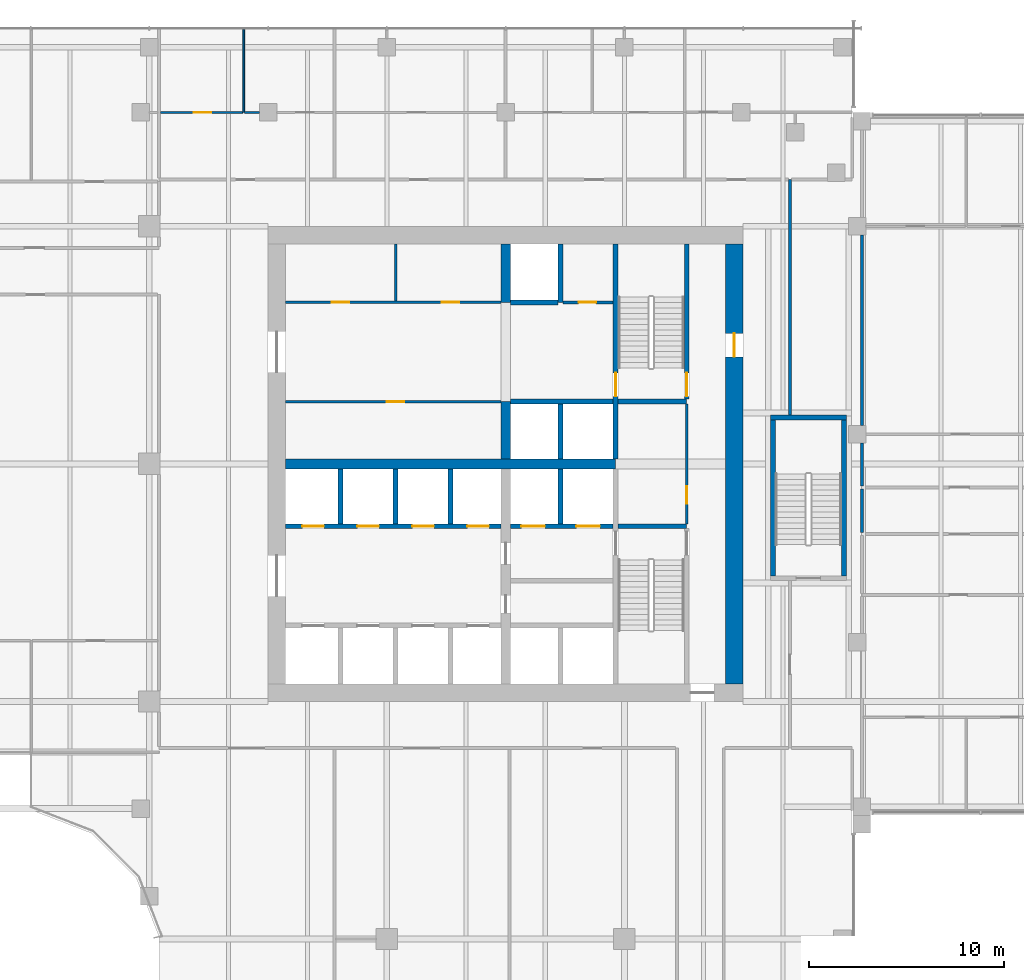
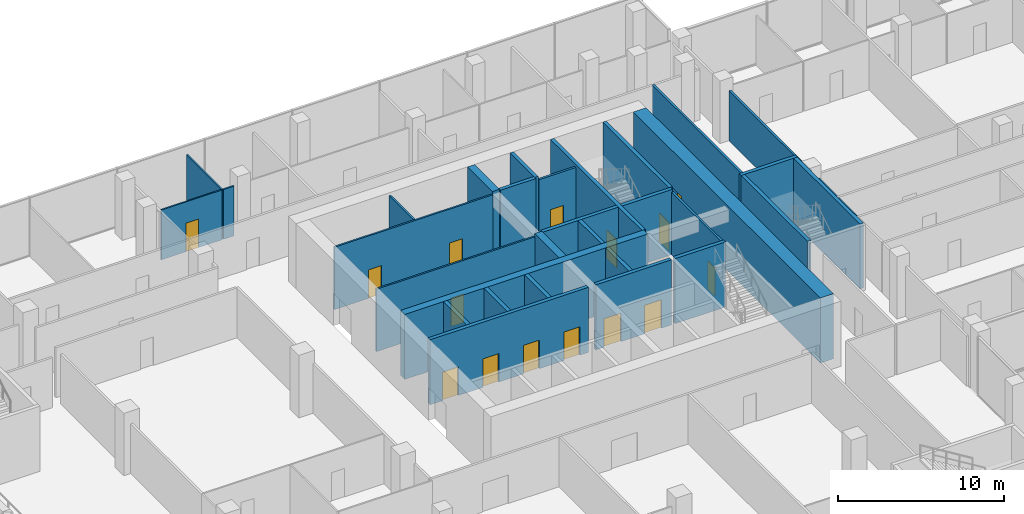
# One storey, part 24 of 33: 33 walls, 15 doors, 15 openings.
"""IFC4 building model written with IfcOpenShell, lengths in metres."""

from ifc_helpers import new_model, si_unit, direction, frame, frame_2d, origin, place, context, subcontext, project, spatial, rectangle, extrude, source, transform, mapped, material, layer, layer_set, type_object, element, fill, save


model = new_model("IFC4")

# Units and contexts
model_context = context("Model", 3, precision=1e-05, world=origin(), true_north=direction((0.0, 1.0)))
body_context = subcontext(model_context, "Body", "Model", "MODEL_VIEW")
ifc_project = project(units=[si_unit("LENGTHUNIT", "METRE"), si_unit("AREAUNIT", "SQUARE_METRE"), si_unit("VOLUMEUNIT", "CUBIC_METRE"), si_unit("PLANEANGLEUNIT", "RADIAN"), si_unit("MASSUNIT", "GRAM", prefix="KILO")], contexts=[model_context])

# Site, building, storey
site_placement = place(None, origin())
site = spatial("IfcSite", under=ifc_project, at=site_placement, CompositionType="ELEMENT")
building_placement = place(site_placement, origin())
building = spatial("IfcBuilding", under=site, at=building_placement, Name="Tessera Gate Towers", CompositionType="ELEMENT")
storey_placement = place(building_placement, frame((0.0, 0.0, 12.0)))
storey = spatial("IfcBuildingStorey", under=building, at=storey_placement, Name="L02", CompositionType="ELEMENT", Elevation=12.0)

# Wall, opening, door
ifc_material_1 = material(Name="Concrete C40/50", Category="concrete")
ifc_layer_1 = layer(ifc_material_1, 0.25)
ifc_layer_set_1 = layer_set([ifc_layer_1], Name="CORE ENCLOSURE WALL 250")
wall_type_1 = type_object("IfcWallType", Name="CORE ENCLOSURE WALL 250", PredefinedType="SOLIDWALL", material=ifc_layer_set_1)
wall_1_placement = place(storey_placement, frame((48.35009765625, 47.89990234375, 0.0), z_axis=(0.0, 0.0, 1.0), x_axis=(0.0, -1.0, 0.0)))
wall_1 = element("IfcWall", 1, at=wall_1_placement, inside=storey, type_object=wall_type_1, Name="L02 shaft and stair enclosure wall", PredefinedType="SOLIDWALL", context=body_context, shape_type="SweptSolid", body=[
    extrude(rectangle(XDim=11.0498046875, YDim=0.25, at=frame_2d((5.52490234375, 0.0))), origin(), (0.0, 0.0, 1.0), 4.800048828125),
])
shared_shape_1 = source(origin(), body_context, "Body", "SweptSolid", [
    extrude(rectangle(XDim=1.199951171875, YDim=2.10009765625, at=frame_2d((0.60009765625, 1.050048828125))), frame((0.0, 0.135009765625, 0.0), z_axis=(0.0, -1.0, 0.0), x_axis=(1.0, 0.0, 0.0)), (0.0, 0.0, 1.0), 0.27001953125),
])
opening_1_placement = place(wall_1_placement, frame((6.625, 0.0, 0.0)))
opening_1 = element("IfcOpeningElement", 2, at=opening_1_placement, cuts=wall_1, Name="Opening SD-ST2-1", PredefinedType="OPENING", context=body_context, shape_type="MappedRepresentation", body=[
    mapped(shared_shape_1, transform((0.0, 0.0, 0.0), scale=1.0)),
])
ifc_material_2 = material(Name="Hollow steel fire door", Category="steel")
door_type_1 = type_object("IfcDoorType", Name="CORE DOOR SD 1200x2100", OperationType="NOTDEFINED", PredefinedType="DOOR", material=ifc_material_2)
shared_shape_2 = source(origin(), body_context, "Body", "SweptSolid", [
    extrude(rectangle(XDim=1.199951171875, YDim=2.10009765625, at=frame_2d((0.60009765625, 1.050048828125))), frame((0.0, 0.02490234375, 0.0), z_axis=(0.0, -1.0, 0.0), x_axis=(1.0, 0.0, 0.0)), (0.0, 0.0, 1.0), 0.050048828125),
])
door_1_placement = place(opening_1_placement, origin())
door_1 = element("IfcDoor", 3, at=door_1_placement, inside=storey, type_object=door_type_1, Name="Stair door", OperationType="SINGLE_SWING_RIGHT", OverallHeight=2.10009765625, OverallWidth=1.199951171875, PredefinedType="DOOR", context=body_context, shape_type="MappedRepresentation", body=[
    mapped(shared_shape_2, transform((0.0, 0.0, 0.0), scale=1.0)),
])
fill(opening_1, door_1)

# Wall, openings, doors
wall_2_placement = place(storey_placement, frame((42.449951171875, 33.39990234375, 0.0), z_axis=(0.0, 0.0, 1.0), x_axis=(-1.0, 0.0, 0.0)))
wall_2 = element("IfcWall", 4, at=wall_2_placement, inside=storey, type_object=wall_type_1, Name="L02 shaft and stair enclosure wall", PredefinedType="SOLIDWALL", context=body_context, shape_type="SweptSolid", body=[
    extrude(rectangle(XDim=11.050048828125, YDim=0.25, at=frame_2d((5.52490234375, 0.0))), origin(), (0.0, 0.0, 1.0), 4.800048828125),
])
shared_shape_3 = source(origin(), body_context, "Body", "SweptSolid", [
    extrude(rectangle(XDim=1.10009765625, YDim=2.10009765625, at=frame_2d((0.550048828125, 1.050048828125))), frame((0.0, 0.135009765625, 0.0), z_axis=(0.0, -1.0, 0.0), x_axis=(1.0, 0.0, 0.0)), (0.0, 0.0, 1.0), 0.27001953125),
])
opening_2_placement = place(wall_2_placement, frame((9.08740234375, 0.0, 0.0)))
opening_2 = element("IfcOpeningElement", 5, at=opening_2_placement, cuts=wall_2, Name="Opening LD-LR5", PredefinedType="OPENING", context=body_context, shape_type="MappedRepresentation", body=[
    mapped(shared_shape_3, transform((0.0, 0.0, 0.0), scale=1.0)),
])
opening_3_placement = place(wall_2_placement, frame((6.262451171875, 0.0, 0.0)))
opening_3 = element("IfcOpeningElement", 6, at=opening_3_placement, cuts=wall_2, Name="Opening LD-LR6", PredefinedType="OPENING", context=body_context, shape_type="MappedRepresentation", body=[
    mapped(shared_shape_3, transform((0.0, 0.0, 0.0), scale=1.0)),
])
opening_4_placement = place(wall_2_placement, frame((3.4375, 0.0, 0.0)))
opening_4 = element("IfcOpeningElement", 7, at=opening_4_placement, cuts=wall_2, Name="Opening LD-LR7", PredefinedType="OPENING", context=body_context, shape_type="MappedRepresentation", body=[
    mapped(shared_shape_3, transform((0.0, 0.0, 0.0), scale=1.0)),
])
opening_5_placement = place(wall_2_placement, frame((0.612548828125, 0.0, 0.0)))
opening_5 = element("IfcOpeningElement", 8, at=opening_5_placement, cuts=wall_2, Name="Opening LD-LR8", PredefinedType="OPENING", context=body_context, shape_type="MappedRepresentation", body=[
    mapped(shared_shape_3, transform((0.0, 0.0, 0.0), scale=1.0)),
])
ifc_material_3 = material(Name="Stainless steel", Category="steel")
door_type_2 = type_object("IfcDoorType", Name="CORE DOOR LD 1100x2100", OperationType="DOUBLE_DOOR_SLIDING", PredefinedType="DOOR", material=ifc_material_3)
shared_shape_4 = source(origin(), body_context, "Body", "SweptSolid", [
    extrude(rectangle(XDim=1.10009765625, YDim=2.10009765625, at=frame_2d((0.550048828125, 1.050048828125))), frame((0.0, 0.02490234375, 0.0), z_axis=(0.0, -1.0, 0.0), x_axis=(1.0, 0.0, 0.0)), (0.0, 0.0, 1.0), 0.050048828125),
])
door_2_placement = place(opening_2_placement, origin())
door_2 = element("IfcDoor", 9, at=door_2_placement, inside=storey, type_object=door_type_2, Name="Landing door LR5 L02", OperationType="DOUBLE_DOOR_SLIDING", OverallHeight=2.10009765625, OverallWidth=1.10009765625, PredefinedType="DOOR", context=body_context, shape_type="MappedRepresentation", body=[
    mapped(shared_shape_4, transform((0.0, 0.0, 0.0), scale=1.0)),
])
fill(opening_2, door_2)
door_3_placement = place(opening_3_placement, origin())
door_3 = element("IfcDoor", 10, at=door_3_placement, inside=storey, type_object=door_type_2, Name="Landing door LR6 L02", OperationType="DOUBLE_DOOR_SLIDING", OverallHeight=2.10009765625, OverallWidth=1.10009765625, PredefinedType="DOOR", context=body_context, shape_type="MappedRepresentation", body=[
    mapped(shared_shape_4, transform((0.0, 0.0, 0.0), scale=1.0)),
])
fill(opening_3, door_3)
door_4_placement = place(opening_4_placement, origin())
door_4 = element("IfcDoor", 11, at=door_4_placement, inside=storey, type_object=door_type_2, Name="Landing door LR7 L02", OperationType="DOUBLE_DOOR_SLIDING", OverallHeight=2.10009765625, OverallWidth=1.10009765625, PredefinedType="DOOR", context=body_context, shape_type="MappedRepresentation", body=[
    mapped(shared_shape_4, transform((0.0, 0.0, 0.0), scale=1.0)),
])
fill(opening_4, door_4)
door_5_placement = place(opening_5_placement, origin())
door_5 = element("IfcDoor", 12, at=door_5_placement, inside=storey, type_object=door_type_2, Name="Landing door LR8 L02", OperationType="DOUBLE_DOOR_SLIDING", OverallHeight=2.10009765625, OverallWidth=1.10009765625, PredefinedType="DOOR", context=body_context, shape_type="MappedRepresentation", body=[
    mapped(shared_shape_4, transform((0.0, 0.0, 0.0), scale=1.0)),
])
fill(opening_5, door_5)

wall_3_placement = place(storey_placement, frame((48.22509765625, 33.39990234375, 0.0), z_axis=(0.0, 0.0, 1.0), x_axis=(-1.0, 0.0, 0.0)))
wall_3 = element("IfcWall", 13, at=wall_3_placement, inside=storey, type_object=wall_type_1, Name="L02 shaft and stair enclosure wall", PredefinedType="SOLIDWALL", context=body_context, shape_type="SweptSolid", body=[
    extrude(rectangle(XDim=5.275146484375, YDim=0.25, at=frame_2d((2.6376953125, 0.0))), origin(), (0.0, 0.0, 1.0), 4.800048828125),
])
opening_6_placement = place(wall_3_placement, frame((3.512451171875, 0.0, 0.0)))
opening_6 = element("IfcOpeningElement", 14, at=opening_6_placement, cuts=wall_3, Name="Opening LD-FF1", PredefinedType="OPENING", context=body_context, shape_type="MappedRepresentation", body=[
    mapped(shared_shape_1, transform((0.0, 0.0, 0.0), scale=1.0)),
])
opening_7_placement = place(wall_3_placement, frame((0.6875, 0.0, 0.0)))
opening_7 = element("IfcOpeningElement", 15, at=opening_7_placement, cuts=wall_3, Name="Opening LD-FF2", PredefinedType="OPENING", context=body_context, shape_type="MappedRepresentation", body=[
    mapped(shared_shape_1, transform((0.0, 0.0, 0.0), scale=1.0)),
])
ifc_material_4 = material(Name="Stainless steel", Category="steel")
door_type_3 = type_object("IfcDoorType", Name="CORE DOOR LD1200 1200x2100", OperationType="DOUBLE_DOOR_SLIDING", PredefinedType="DOOR", material=ifc_material_4)
door_6_placement = place(opening_6_placement, origin())
door_6 = element("IfcDoor", 16, at=door_6_placement, inside=storey, type_object=door_type_3, Name="Landing door FF1 L02", OperationType="DOUBLE_DOOR_SLIDING", OverallHeight=2.10009765625, OverallWidth=1.199951171875, PredefinedType="DOOR", context=body_context, shape_type="MappedRepresentation", body=[
    mapped(shared_shape_2, transform((0.0, 0.0, 0.0), scale=1.0)),
])
fill(opening_6, door_6)
door_7_placement = place(opening_7_placement, origin())
door_7 = element("IfcDoor", 17, at=door_7_placement, inside=storey, type_object=door_type_3, Name="Landing door FF2 L02", OperationType="DOUBLE_DOOR_SLIDING", OverallHeight=2.10009765625, OverallWidth=1.199951171875, PredefinedType="DOOR", context=body_context, shape_type="MappedRepresentation", body=[
    mapped(shared_shape_2, transform((0.0, 0.0, 0.0), scale=1.0)),
])
fill(opening_7, door_7)

# Walls
wall_4_placement = place(storey_placement, frame((48.47509765625, 33.39990234375, 0.0), z_axis=(0.0, 0.0, 1.0), x_axis=(1.0, 0.0, 0.0)))
element("IfcWall", 18, at=wall_4_placement, inside=storey, type_object=wall_type_1, Name="L02 shaft and stair enclosure wall", PredefinedType="SOLIDWALL", context=body_context, shape_type="SweptSolid", body=[
    extrude(rectangle(XDim=3.52490234375, YDim=0.25, at=frame_2d((1.762451171875, 0.0))), origin(), (0.0, 0.0, 1.0), 4.800048828125),
])
wall_5_placement = place(storey_placement, frame((42.949951171875, 39.800048828125, 0.0), z_axis=(0.0, 0.0, 1.0), x_axis=(1.0, 0.0, 0.0)))
element("IfcWall", 19, at=wall_5_placement, inside=storey, type_object=wall_type_1, Name="L02 shaft and stair enclosure wall", PredefinedType="SOLIDWALL", context=body_context, shape_type="SweptSolid", body=[
    extrude(rectangle(XDim=5.275146484375, YDim=0.25, at=frame_2d((2.6376953125, 0.0))), origin(), (0.0, 0.0, 1.0), 4.800048828125),
])
wall_6_placement = place(storey_placement, frame((48.47509765625, 39.800048828125, 0.0), z_axis=(0.0, 0.0, 1.0), x_axis=(1.0, 0.0, 0.0)))
element("IfcWall", 20, at=wall_6_placement, inside=storey, type_object=wall_type_1, Name="L02 shaft and stair enclosure wall", PredefinedType="SOLIDWALL", context=body_context, shape_type="SweptSolid", body=[
    extrude(rectangle(XDim=3.52490234375, YDim=0.25, at=frame_2d((1.762451171875, 0.0))), origin(), (0.0, 0.0, 1.0), 4.800048828125),
])

# Wall, opening, door
wall_7_placement = place(storey_placement, frame((52.0, 39.925048828125, 0.0), z_axis=(0.0, 0.0, 1.0), x_axis=(0.0, 1.0, 0.0)))
wall_7 = element("IfcWall", 21, at=wall_7_placement, inside=storey, type_object=wall_type_1, Name="L02 shaft and stair enclosure wall", PredefinedType="SOLIDWALL", context=body_context, shape_type="SweptSolid", body=[
    extrude(rectangle(XDim=7.974853515625, YDim=0.25, at=frame_2d((3.9873046875, 0.0))), origin(), (0.0, 0.0, 1.0), 4.800048828125),
])
opening_8_placement = place(wall_7_placement, frame((0.14990234375, 0.0, 0.0)))
opening_8 = element("IfcOpeningElement", 22, at=opening_8_placement, cuts=wall_7, Name="Opening SD-ST2-2", PredefinedType="OPENING", context=body_context, shape_type="MappedRepresentation", body=[
    mapped(shared_shape_1, transform((0.0, 0.0, 0.0), scale=1.0)),
])
door_8_placement = place(opening_8_placement, origin())
door_8 = element("IfcDoor", 23, at=door_8_placement, inside=storey, type_object=door_type_1, Name="Stair door", OperationType="SINGLE_SWING_LEFT", OverallHeight=2.10009765625, OverallWidth=1.199951171875, PredefinedType="DOOR", context=body_context, shape_type="MappedRepresentation", body=[
    mapped(shared_shape_2, transform((0.0, 0.0, 0.0), scale=1.0)),
])
fill(opening_8, door_8)

# Walls
wall_8_placement = place(storey_placement, frame((45.52490234375, 33.52490234375, 0.0), z_axis=(0.0, 0.0, 1.0), x_axis=(0.0, 1.0, 0.0)))
element("IfcWall", 24, at=wall_8_placement, inside=storey, type_object=wall_type_1, Name="L02 shaft and stair enclosure wall", PredefinedType="SOLIDWALL", context=body_context, shape_type="SweptSolid", body=[
    extrude(rectangle(XDim=2.8251953125, YDim=0.25, at=frame_2d((1.41259765625, 0.0))), origin(), (0.0, 0.0, 1.0), 4.800048828125),
])
wall_9_placement = place(storey_placement, frame((45.52490234375, 36.85009765625, 0.0), z_axis=(0.0, 0.0, 1.0), x_axis=(0.0, 1.0, 0.0)))
element("IfcWall", 25, at=wall_9_placement, inside=storey, type_object=wall_type_1, Name="L02 shaft and stair enclosure wall", PredefinedType="SOLIDWALL", context=body_context, shape_type="SweptSolid", body=[
    extrude(rectangle(XDim=2.824951171875, YDim=0.25, at=frame_2d((1.41259765625, 0.0))), origin(), (0.0, 0.0, 1.0), 4.800048828125),
])
for number, where, z_axis, x_axis, name in (
    (26, (34.22509765625, 33.52490234375, 0.0), (0.0, 0.0, 1.0), (0.0, 1.0, 0.0), "L02 shaft and stair enclosure wall"),
    (27, (37.050048828125, 33.52490234375, 0.0), (0.0, 0.0, 1.0), (0.0, 1.0, 0.0), "L02 shaft and stair enclosure wall"),
    (28, (39.875, 33.52490234375, 0.0), (0.0, 0.0, 1.0), (0.0, 1.0, 0.0), "L02 shaft and stair enclosure wall"),
):
    element("IfcWall", number, at=place(storey_placement, frame(where, z_axis=z_axis, x_axis=x_axis)), inside=storey, type_object=wall_type_1, Name=name, PredefinedType="SOLIDWALL", context=body_context, shape_type="SweptSolid", body=[
        extrude(rectangle(XDim=2.8251953125, YDim=0.25, at=frame_2d((1.41259765625, 0.0))), origin(), (0.0, 0.0, 1.0), 4.800048828125),
    ])
wall_10_placement = place(storey_placement, frame((45.52490234375, 44.89990234375, 0.0), z_axis=(0.0, 0.0, 1.0), x_axis=(0.0, 1.0, 0.0)))
element("IfcWall", 29, at=wall_10_placement, inside=storey, type_object=wall_type_1, Name="L02 shaft and stair enclosure wall", PredefinedType="SOLIDWALL", context=body_context, shape_type="SweptSolid", body=[
    extrude(rectangle(XDim=3.0, YDim=0.25, at=frame_2d((1.5, 0.0))), origin(), (0.0, 0.0, 1.0), 4.800048828125),
])
wall_11_placement = place(storey_placement, frame((42.949951171875, 44.89990234375, 0.0), z_axis=(0.0, 0.0, 1.0), x_axis=(1.0, 0.0, 0.0)))
element("IfcWall", 30, at=wall_11_placement, inside=storey, type_object=wall_type_1, Name="L02 shaft and stair enclosure wall", PredefinedType="SOLIDWALL", context=body_context, shape_type="SweptSolid", body=[
    extrude(rectangle(XDim=2.449951171875, YDim=0.25, at=frame_2d((1.22509765625, 0.0))), origin(), (0.0, 0.0, 1.0), 4.800048828125),
])
wall_12_placement = place(storey_placement, frame((56.425048828125, 30.85009765625, 0.0), z_axis=(0.0, 0.0, 1.0), x_axis=(0.0, 1.0, 0.0)))
element("IfcWall", 31, at=wall_12_placement, inside=storey, type_object=wall_type_1, Name="L02 ST5 enclosure wall", PredefinedType="SOLIDWALL", context=body_context, shape_type="SweptSolid", body=[
    extrude(rectangle(XDim=8.0, YDim=0.25, at=frame_2d((4.0, 0.0))), origin(), (0.0, 0.0, 1.0), 4.800048828125),
])
wall_13_placement = place(storey_placement, frame((56.300048828125, 38.97509765625, 0.0), z_axis=(0.0, 0.0, 1.0), x_axis=(1.0, 0.0, 0.0)))
element("IfcWall", 32, at=wall_13_placement, inside=storey, type_object=wall_type_1, Name="L02 ST5 enclosure wall", PredefinedType="SOLIDWALL", context=body_context, shape_type="SweptSolid", body=[
    extrude(rectangle(XDim=3.89990234375, YDim=0.25, at=frame_2d((1.949951171875, 0.0))), origin(), (0.0, 0.0, 1.0), 4.800048828125),
])
wall_14_placement = place(storey_placement, frame((60.074951171875, 38.85009765625, 0.0), z_axis=(0.0, 0.0, 1.0), x_axis=(0.0, -1.0, 0.0)))
element("IfcWall", 33, at=wall_14_placement, inside=storey, type_object=wall_type_1, Name="L02 ST5 enclosure wall", PredefinedType="SOLIDWALL", context=body_context, shape_type="SweptSolid", body=[
    extrude(rectangle(XDim=8.0, YDim=0.25, at=frame_2d((4.0, 0.0))), origin(), (0.0, 0.0, 1.0), 4.800048828125),
])

# Wall, opening, door
ifc_material_5 = material(Name="Gypsum board on steel studs", Category="steel")
ifc_layer_2 = layer(ifc_material_5, 0.1201171875)
ifc_layer_set_2 = layer_set([ifc_layer_2], Name="CORE PARTITION 120")
wall_type_2 = type_object("IfcWallType", Name="CORE PARTITION 120", PredefinedType="PARTITIONING", material=ifc_layer_set_2)
wall_15_placement = place(storey_placement, frame((42.449951171875, 39.800048828125, 0.0), z_axis=(0.0, 0.0, 1.0), x_axis=(-1.0, 0.0, 0.0)))
wall_15 = element("IfcWall", 34, at=wall_15_placement, inside=storey, type_object=wall_type_2, Name="L02 core partition", PredefinedType="PARTITIONING", context=body_context, shape_type="SweptSolid", body=[
    extrude(rectangle(XDim=11.050048828125, YDim=0.1201171875, at=frame_2d((5.52490234375, 0.0))), origin(), (0.0, 0.0, 1.0), 4.60009765625),
])
shared_shape_5 = source(origin(), body_context, "Body", "SweptSolid", [
    extrude(rectangle(XDim=0.89990234375, YDim=2.10009765625, at=frame_2d((0.449951171875, 1.050048828125))), frame((0.0, 0.070068359375, 0.0), z_axis=(0.0, -1.0, 0.0), x_axis=(1.0, 0.0, 0.0)), (0.0, 0.0, 1.0), 0.14013671875),
])
opening_9_placement = place(wall_15_placement, frame((4.949951171875, 0.0, 0.0)))
opening_9 = element("IfcOpeningElement", 35, at=opening_9_placement, cuts=wall_15, Name="Opening RD-T1-04-07", PredefinedType="OPENING", context=body_context, shape_type="MappedRepresentation", body=[
    mapped(shared_shape_5, transform((0.0, 0.0, 0.0), scale=1.0)),
])
ifc_material_6 = material(Name="Hollow steel fire door", Category="steel")
door_type_4 = type_object("IfcDoorType", Name="CORE DOOR RD 900x2100", OperationType="NOTDEFINED", PredefinedType="DOOR", material=ifc_material_6)
shared_shape_6 = source(origin(), body_context, "Body", "SweptSolid", [
    extrude(rectangle(XDim=0.89990234375, YDim=2.10009765625, at=frame_2d((0.449951171875, 1.050048828125))), frame((0.0, 0.02490234375, 0.0), z_axis=(0.0, -1.0, 0.0), x_axis=(1.0, 0.0, 0.0)), (0.0, 0.0, 1.0), 0.050048828125),
])
door_9_placement = place(opening_9_placement, origin())
door_9 = element("IfcDoor", 36, at=door_9_placement, inside=storey, type_object=door_type_4, Name="Core room door", OperationType="SINGLE_SWING_LEFT", OverallHeight=2.10009765625, OverallWidth=0.89990234375, PredefinedType="DOOR", context=body_context, shape_type="MappedRepresentation", body=[
    mapped(shared_shape_6, transform((0.0, 0.0, 0.0), scale=1.0)),
])
fill(opening_9, door_9)

# Wall, openings, doors
wall_16_placement = place(storey_placement, frame((31.39990234375, 44.89990234375, 0.0), z_axis=(0.0, 0.0, 1.0), x_axis=(1.0, 0.0, 0.0)))
wall_16 = element("IfcWall", 37, at=wall_16_placement, inside=storey, type_object=wall_type_2, Name="L02 core partition", PredefinedType="PARTITIONING", context=body_context, shape_type="SweptSolid", body=[
    extrude(rectangle(XDim=11.050048828125, YDim=0.1201171875, at=frame_2d((5.52490234375, 0.0))), origin(), (0.0, 0.0, 1.0), 4.60009765625),
])
opening_10_placement = place(wall_16_placement, frame((2.375, 0.0, 0.0)))
opening_10 = element("IfcOpeningElement", 38, at=opening_10_placement, cuts=wall_16, Name="Opening RD-T1-04-08", PredefinedType="OPENING", context=body_context, shape_type="MappedRepresentation", body=[
    mapped(shared_shape_5, transform((0.0, 0.0, 0.0), scale=1.0)),
])
opening_11_placement = place(wall_16_placement, frame((8.02490234375, 0.0, 0.0)))
opening_11 = element("IfcOpeningElement", 39, at=opening_11_placement, cuts=wall_16, Name="Opening RD-T1-04-09", PredefinedType="OPENING", context=body_context, shape_type="MappedRepresentation", body=[
    mapped(shared_shape_5, transform((0.0, 0.0, 0.0), scale=1.0)),
])
door_10_placement = place(opening_10_placement, origin())
door_10 = element("IfcDoor", 40, at=door_10_placement, inside=storey, type_object=door_type_4, Name="Core room door", OperationType="SINGLE_SWING_LEFT", OverallHeight=2.10009765625, OverallWidth=0.89990234375, PredefinedType="DOOR", context=body_context, shape_type="MappedRepresentation", body=[
    mapped(shared_shape_6, transform((0.0, 0.0, 0.0), scale=1.0)),
])
fill(opening_10, door_10)
door_11_placement = place(opening_11_placement, origin())
door_11 = element("IfcDoor", 41, at=door_11_placement, inside=storey, type_object=door_type_4, Name="Core room door", OperationType="SINGLE_SWING_RIGHT", OverallHeight=2.10009765625, OverallWidth=0.89990234375, PredefinedType="DOOR", context=body_context, shape_type="MappedRepresentation", body=[
    mapped(shared_shape_6, transform((0.0, 0.0, 0.0), scale=1.0)),
])
fill(opening_11, door_11)

# Wall
wall_17_placement = place(storey_placement, frame((37.050048828125, 44.9599609375, 0.0), z_axis=(0.0, 0.0, 1.0), x_axis=(0.0, 1.0, 0.0)))
element("IfcWall", 42, at=wall_17_placement, inside=storey, type_object=wall_type_2, Name="L02 core partition", PredefinedType="PARTITIONING", context=body_context, shape_type="SweptSolid", body=[
    extrude(rectangle(XDim=2.93994140625, YDim=0.1201171875, at=frame_2d((1.469970703125, 0.0))), origin(), (0.0, 0.0, 1.0), 4.60009765625),
])

# Wall, opening, door
ifc_material_7 = material(Name="Concrete C70/85", Category="concrete")
ifc_layer_3 = layer(ifc_material_7, 0.89990234375)
ifc_layer_set_3 = layer_set([ifc_layer_3], Name="CORE SHEAR WALL 900 C70/85")
wall_type_3 = type_object("IfcWallType", Name="CORE SHEAR WALL 900 C70/85", PredefinedType="SHEAR", material=ifc_layer_set_3)
wall_18_placement = place(storey_placement, frame((54.449951171875, 47.89990234375, 0.0), z_axis=(0.0, 0.0, 1.0), x_axis=(0.0, -1.0, 0.0)))
wall_18 = element("IfcWall", 43, at=wall_18_placement, inside=storey, type_object=wall_type_3, Name="Core wall E L02", PredefinedType="SHEAR", context=body_context, shape_type="SweptSolid", body=[
    extrude(rectangle(XDim=22.599853515625, YDim=0.89990234375, at=frame_2d((11.2998046875, 0.0))), origin(), (0.0, 0.0, 1.0), 4.800048828125),
])
shared_shape_7 = source(origin(), body_context, "Body", "SweptSolid", [
    extrude(rectangle(XDim=1.199951171875, YDim=2.10009765625, at=frame_2d((0.60009765625, 1.050048828125))), frame((0.0, 0.4599609375, 0.0), z_axis=(0.0, -1.0, 0.0), x_axis=(1.0, 0.0, 0.0)), (0.0, 0.0, 1.0), 0.919921875),
])
opening_12_placement = place(wall_18_placement, frame((4.60009765625, 0.0, 0.0)))
opening_12 = element("IfcOpeningElement", 44, at=opening_12_placement, cuts=wall_18, Name="Opening ED-T1-04-04", PredefinedType="OPENING", context=body_context, shape_type="MappedRepresentation", body=[
    mapped(shared_shape_7, transform((0.0, 0.0, 0.0), scale=1.0)),
])
ifc_material_8 = material(Name="Hollow steel fire door", Category="steel")
door_type_5 = type_object("IfcDoorType", Name="CORE DOOR ED 1200x2100", OperationType="NOTDEFINED", PredefinedType="DOOR", material=ifc_material_8)
door_12_placement = place(opening_12_placement, origin())
door_12 = element("IfcDoor", 45, at=door_12_placement, inside=storey, type_object=door_type_5, Name="Core exit door", OperationType="SINGLE_SWING_LEFT", OverallHeight=2.10009765625, OverallWidth=1.199951171875, PredefinedType="DOOR", context=body_context, shape_type="MappedRepresentation", body=[
    mapped(shared_shape_2, transform((0.0, 0.0, 0.0), scale=1.0)),
])
fill(opening_12, door_12)

# Walls
ifc_material_9 = material(Name="Concrete C70/85", Category="concrete")
ifc_layer_4 = layer(ifc_material_9, 0.5)
ifc_layer_set_4 = layer_set([ifc_layer_4], Name="CORE SPINE WALL 500 C70/85")
wall_type_4 = type_object("IfcWallType", Name="CORE SPINE WALL 500 C70/85", PredefinedType="SHEAR", material=ifc_layer_set_4)
wall_19_placement = place(storey_placement, frame((31.39990234375, 36.60009765625, 0.0), z_axis=(0.0, 0.0, 1.0), x_axis=(1.0, 0.0, 0.0)))
element("IfcWall", 46, at=wall_19_placement, inside=storey, type_object=wall_type_4, Name="Core wall spine L02", PredefinedType="SHEAR", context=body_context, shape_type="SweptSolid", body=[
    extrude(rectangle(XDim=16.9501953125, YDim=0.5, at=frame_2d((8.47509765625, 0.0))), origin(), (0.0, 0.0, 1.0), 4.800048828125),
])
wall_20_placement = place(storey_placement, frame((42.699951171875, 36.85009765625, 0.0), z_axis=(0.0, 0.0, 1.0), x_axis=(0.0, 1.0, 0.0)))
element("IfcWall", 47, at=wall_20_placement, inside=storey, type_object=wall_type_4, Name="Core wall spine L02", PredefinedType="SHEAR", context=body_context, shape_type="SweptSolid", body=[
    extrude(rectangle(XDim=2.949951171875, YDim=0.5, at=frame_2d((1.47509765625, 0.0))), origin(), (0.0, 0.0, 1.0), 4.800048828125),
])
wall_21_placement = place(storey_placement, frame((42.699951171875, 44.89990234375, 0.0), z_axis=(0.0, 0.0, 1.0), x_axis=(0.0, 1.0, 0.0)))
element("IfcWall", 48, at=wall_21_placement, inside=storey, type_object=wall_type_4, Name="Core wall spine L02", PredefinedType="SHEAR", context=body_context, shape_type="SweptSolid", body=[
    extrude(rectangle(XDim=3.0, YDim=0.5, at=frame_2d((1.5, 0.0))), origin(), (0.0, 0.0, 1.0), 4.800048828125),
])
ifc_material_10 = material(Name="Gypsum board on steel studs, mineral wool", Category="steel")
ifc_layer_5 = layer(ifc_material_10, 0.14990234375)
ifc_layer_set_5 = layer_set([ifc_layer_5], Name="CORRIDOR WALL 150")
wall_type_5 = type_object("IfcWallType", Name="CORRIDOR WALL 150", PredefinedType="PARTITIONING", material=ifc_layer_set_5)
wall_22_placement = place(storey_placement, frame((61.0, 33.075927734375, 0.0), z_axis=(0.0, 0.0, 1.0), x_axis=(0.0, 1.0, 0.0)))
element("IfcWall", 49, at=wall_22_placement, inside=storey, type_object=wall_type_5, Name="PODIUM-L02-PW-069", PredefinedType="PARTITIONING", context=body_context, shape_type="SweptSolid", body=[
    extrude(rectangle(XDim=2.248046875, YDim=0.14990234375, at=frame_2d((1.1240234375, 0.0))), origin(), (0.0, 0.0, 1.0), 3.672119140625),
])
wall_23_placement = place(storey_placement, frame((57.300048828125, 39.10009765625, 0.0), z_axis=(0.0, 0.0, 1.0), x_axis=(0.0, 1.0, 0.0)))
element("IfcWall", 50, at=wall_23_placement, inside=storey, type_object=wall_type_5, Name="PODIUM-L02-PW-086", PredefinedType="PARTITIONING", context=body_context, shape_type="SweptSolid", body=[
    extrude(rectangle(XDim=12.099853515625, YDim=0.14990234375, at=frame_2d((6.0498046875, 0.0))), origin(), (0.0, 0.0, 1.0), 3.672119140625),
])

# Wall, opening, door
ifc_material_11 = material(Name="Glass", Category="glass")
ifc_layer_6 = layer(ifc_material_11, 0.10009765625)
ifc_layer_set_6 = layer_set([ifc_layer_6], Name="GLAZED PARTITION 100")
wall_type_6 = type_object("IfcWallType", Name="GLAZED PARTITION 100", PredefinedType="PARTITIONING", material=ifc_layer_set_6)
wall_24_placement = place(storey_placement, frame((24.97607421875, 54.64990234375, 0.0), z_axis=(0.0, 0.0, 1.0), x_axis=(1.0, 0.0, 0.0)))
wall_24 = element("IfcWall", 51, at=wall_24_placement, inside=storey, type_object=wall_type_6, Name="PODIUM-L02-PW-123", PredefinedType="PARTITIONING", context=body_context, shape_type="SweptSolid", body=[
    extrude(rectangle(XDim=4.220703125, YDim=0.10009765625, at=frame_2d((2.1103515625, 0.0))), origin(), (0.0, 0.0, 1.0), 3.672119140625),
])
shared_shape_8 = source(origin(), body_context, "Body", "SweptSolid", [
    extrude(rectangle(XDim=0.89990234375, YDim=2.10009765625, at=frame_2d((0.449951171875, 1.050048828125))), frame((0.0, 0.06005859375, 0.0), z_axis=(0.0, -1.0, 0.0), x_axis=(1.0, 0.0, 0.0)), (0.0, 0.0, 1.0), 0.1201171875),
])
opening_13_placement = place(wall_24_placement, frame((1.699951171875, 0.0, 0.0)))
opening_13 = element("IfcOpeningElement", 52, at=opening_13_placement, cuts=wall_24, Name="Opening D690-P03-05", PredefinedType="OPENING", context=body_context, shape_type="MappedRepresentation", body=[
    mapped(shared_shape_8, transform((0.0, 0.0, 0.0), scale=1.0)),
])
ifc_material_12 = material(Name="Glass in aluminium frame", Category="aluminium")
door_type_6 = type_object("IfcDoorType", Name="GLAZED DOOR 900 NOT RATED", OperationType="NOTDEFINED", PredefinedType="DOOR", material=ifc_material_12)
door_13_placement = place(opening_13_placement, origin())
door_13 = element("IfcDoor", 53, at=door_13_placement, inside=storey, type_object=door_type_6, Name="PODIUM-L02-PD-008", OperationType="SINGLE_SWING_LEFT", OverallHeight=2.10009765625, OverallWidth=0.89990234375, PredefinedType="DOOR", context=body_context, shape_type="MappedRepresentation", body=[
    mapped(shared_shape_6, transform((0.0, 0.0, 0.0), scale=1.0)),
])
fill(opening_13, door_13)

# Walls
wall_25_placement = place(storey_placement, frame((29.298828125, 54.64990234375, 0.0), z_axis=(0.0, 0.0, 1.0), x_axis=(1.0, 0.0, 0.0)))
element("IfcWall", 54, at=wall_25_placement, inside=storey, type_object=wall_type_6, Name="PODIUM-L02-PW-125", PredefinedType="PARTITIONING", context=body_context, shape_type="SweptSolid", body=[
    extrude(rectangle(XDim=0.750244140625, YDim=0.10009765625, at=frame_2d((0.375, 0.0))), origin(), (0.0, 0.0, 1.0), 3.672119140625),
])
ifc_material_13 = material(Name="Gypsum board on steel studs", Category="steel")
ifc_layer_7 = layer(ifc_material_13, 0.10009765625)
ifc_layer_set_7 = layer_set([ifc_layer_7], Name="PARTITION 100")
wall_type_7 = type_object("IfcWallType", Name="PARTITION 100", PredefinedType="PARTITIONING", material=ifc_layer_set_7)
wall_26_placement = place(storey_placement, frame((29.248046875, 54.64990234375, 0.0), z_axis=(0.0, 0.0, 1.0), x_axis=(0.0, 1.0, 0.0)))
element("IfcWall", 55, at=wall_26_placement, inside=storey, type_object=wall_type_7, Name="PODIUM-L02-PW-124", PredefinedType="PARTITIONING", context=body_context, shape_type="SweptSolid", body=[
    extrude(rectangle(XDim=4.25, YDim=0.10009765625, at=frame_2d((2.125, 0.0))), origin(), (0.0, 0.0, 1.0), 3.672119140625),
])

# Wall, opening, door
ifc_material_14 = material(Name="Gypsum board on steel studs", Category="steel")
ifc_layer_8 = layer(ifc_material_14, 0.14990234375)
ifc_layer_set_8 = layer_set([ifc_layer_8], Name="SERVICE ROOM WALL 150")
wall_type_8 = type_object("IfcWallType", Name="SERVICE ROOM WALL 150", PredefinedType="PARTITIONING", material=ifc_layer_set_8)
wall_27_placement = place(storey_placement, frame((52.0, 33.52490234375, 0.0), z_axis=(0.0, 0.0, 1.0), x_axis=(0.0, 1.0, 0.0)))
wall_27 = element("IfcWall", 56, at=wall_27_placement, inside=storey, type_object=wall_type_8, Name="L02 service room wall", PredefinedType="PARTITIONING", context=body_context, shape_type="SweptSolid", body=[
    extrude(rectangle(XDim=6.150146484375, YDim=0.14990234375, at=frame_2d((3.0751953125, 0.0))), origin(), (0.0, 0.0, 1.0), 4.60009765625),
])
shared_shape_9 = source(origin(), body_context, "Body", "SweptSolid", [
    extrude(rectangle(XDim=0.89990234375, YDim=2.10009765625, at=frame_2d((0.449951171875, 1.050048828125))), frame((0.0, 0.0849609375, 0.0), z_axis=(0.0, -1.0, 0.0), x_axis=(1.0, 0.0, 0.0)), (0.0, 0.0, 1.0), 0.169921875),
])
opening_14_placement = place(wall_27_placement, frame((1.02490234375, 0.0, 0.0)))
opening_14 = element("IfcOpeningElement", 57, at=opening_14_placement, cuts=wall_27, Name="Opening RD-T1-04-10", PredefinedType="OPENING", context=body_context, shape_type="MappedRepresentation", body=[
    mapped(shared_shape_9, transform((0.0, 0.0, 0.0), scale=1.0)),
])
door_14_placement = place(opening_14_placement, origin())
door_14 = element("IfcDoor", 58, at=door_14_placement, inside=storey, type_object=door_type_4, Name="Core room door", OperationType="SINGLE_SWING_LEFT", OverallHeight=2.10009765625, OverallWidth=0.89990234375, PredefinedType="DOOR", context=body_context, shape_type="MappedRepresentation", body=[
    mapped(shared_shape_6, transform((0.0, 0.0, 0.0), scale=1.0)),
])
fill(opening_14, door_14)

wall_28_placement = place(storey_placement, frame((45.64990234375, 44.89990234375, 0.0), z_axis=(0.0, 0.0, 1.0), x_axis=(1.0, 0.0, 0.0)))
wall_28 = element("IfcWall", 59, at=wall_28_placement, inside=storey, type_object=wall_type_8, Name="L02 service room wall", PredefinedType="PARTITIONING", context=body_context, shape_type="SweptSolid", body=[
    extrude(rectangle(XDim=2.5751953125, YDim=0.14990234375, at=frame_2d((1.28759765625, 0.0))), origin(), (0.0, 0.0, 1.0), 4.60009765625),
])
opening_15_placement = place(wall_28_placement, frame((0.800048828125, 0.0, 0.0)))
opening_15 = element("IfcOpeningElement", 60, at=opening_15_placement, cuts=wall_28, Name="Opening RD-T1-04-11", PredefinedType="OPENING", context=body_context, shape_type="MappedRepresentation", body=[
    mapped(shared_shape_9, transform((0.0, 0.0, 0.0), scale=1.0)),
])
door_15_placement = place(opening_15_placement, origin())
door_15 = element("IfcDoor", 61, at=door_15_placement, inside=storey, type_object=door_type_4, Name="Core room door", OperationType="SINGLE_SWING_LEFT", OverallHeight=2.10009765625, OverallWidth=0.89990234375, PredefinedType="DOOR", context=body_context, shape_type="MappedRepresentation", body=[
    mapped(shared_shape_6, transform((0.0, 0.0, 0.0), scale=1.0)),
])
fill(opening_15, door_15)

# Walls
ifc_material_15 = material(Name="Gypsum board on steel studs, mineral wool", Category="steel")
ifc_layer_9 = layer(ifc_material_15, 0.14990234375)
ifc_layer_set_9 = layer_set([ifc_layer_9], Name="TENANCY WALL 150")
wall_type_9 = type_object("IfcWallType", Name="TENANCY WALL 150", PredefinedType="PARTITIONING", material=ifc_layer_set_9)
wall_29_placement = place(storey_placement, frame((61.0, 35.47607421875, 0.0), z_axis=(0.0, 0.0, 1.0), x_axis=(0.0, 1.0, 0.0)))
element("IfcWall", 62, at=wall_29_placement, inside=storey, type_object=wall_type_9, Name="PODIUM-L02-PW-075", PredefinedType="PARTITIONING", context=body_context, shape_type="SweptSolid", body=[
    extrude(rectangle(XDim=2.197998046875, YDim=0.14990234375, at=frame_2d((1.09912109375, 0.0))), origin(), (0.0, 0.0, 1.0), 3.672119140625),
])
wall_30_placement = place(storey_placement, frame((61.0, 38.575927734375, 0.0), z_axis=(0.0, 0.0, 1.0), x_axis=(0.0, 1.0, 0.0)))
element("IfcWall", 63, at=wall_30_placement, inside=storey, type_object=wall_type_9, Name="PODIUM-L02-PW-085", PredefinedType="PARTITIONING", context=body_context, shape_type="SweptSolid", body=[
    extrude(rectangle(XDim=9.773193359375, YDim=0.14990234375, at=frame_2d((4.88671875, 0.0))), origin(), (0.0, 0.0, 1.0), 3.672119140625),
])

save(model, "model.ifc")
